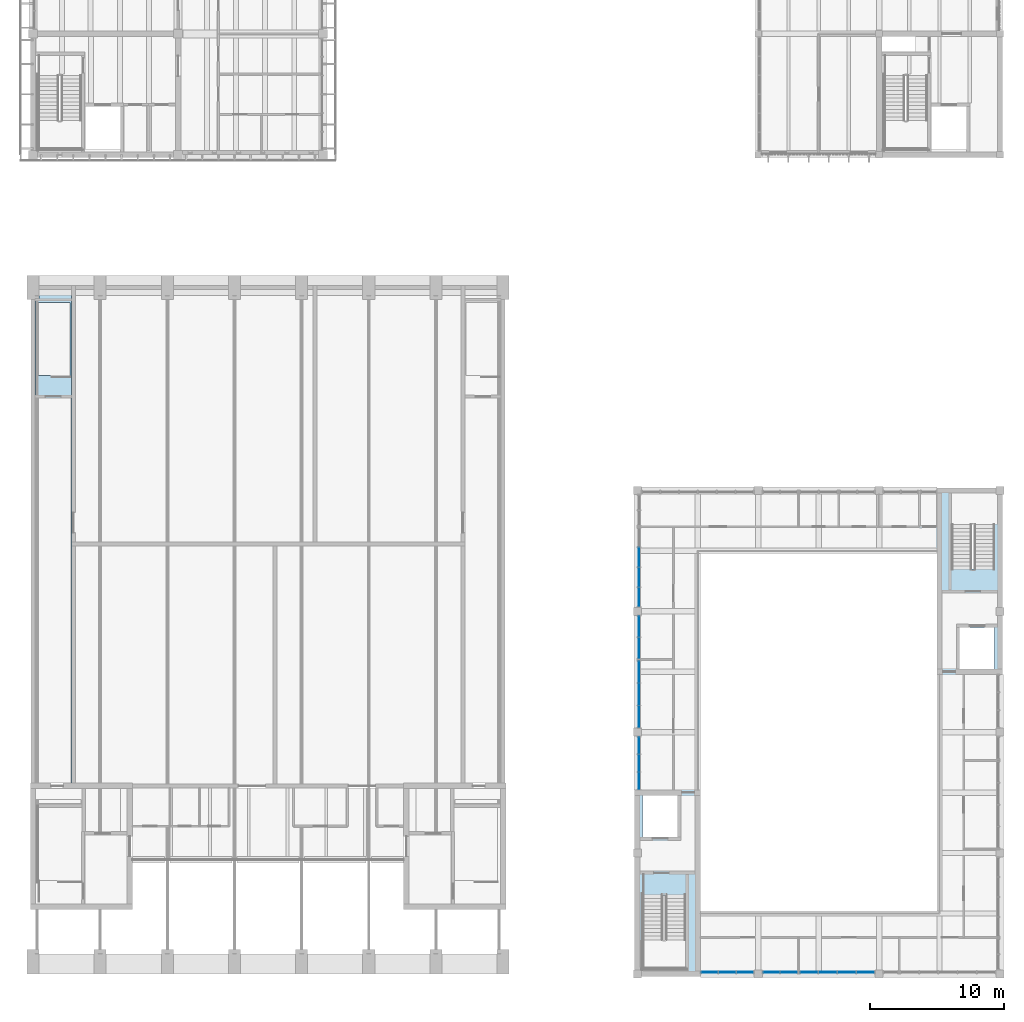
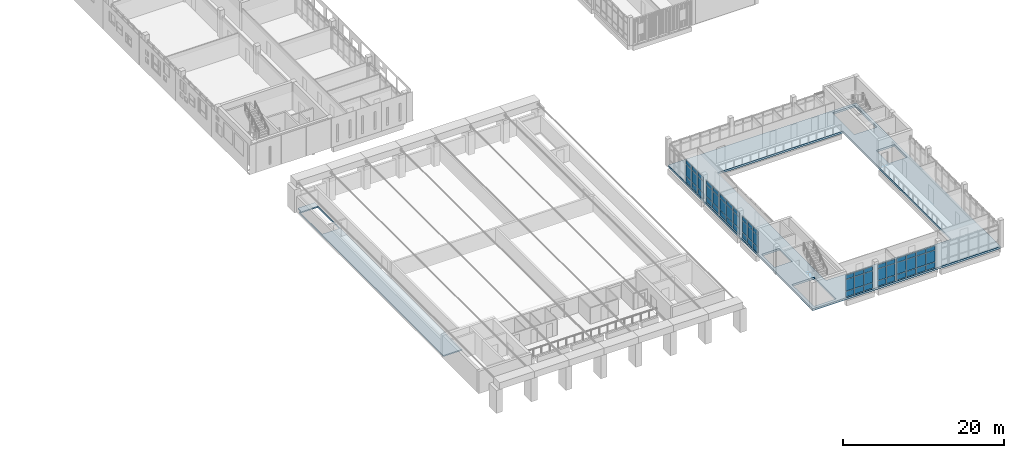
# One storey, part 35 of 92: 60 plates, 2 slabs, 7 elements without a shape of their own.
"""IFC4 building model written with IfcOpenShell, lengths in metres."""

from ifc_helpers import new_model, si_unit, direction, frame, origin, origin_2d, place, context, subcontext, project, spatial, polyline, rectangle, outline, extrude, material, layer, layer_set, type_object, element, aggregate, save


model = new_model("IFC4")

# Units and contexts
model_context = context("Model", 3, precision=1e-05, world=origin(), true_north=direction((0.0, 1.0)))
body_context = subcontext(model_context, "Body", "Model", "MODEL_VIEW")
ifc_project = project(units=[si_unit("LENGTHUNIT", "METRE"), si_unit("AREAUNIT", "SQUARE_METRE"), si_unit("VOLUMEUNIT", "CUBIC_METRE"), si_unit("PLANEANGLEUNIT", "RADIAN"), si_unit("MASSUNIT", "GRAM", prefix="KILO")], contexts=[model_context])

# Site, building, storey
site_placement = place(None, origin())
site = spatial("IfcSite", under=ifc_project, at=site_placement, CompositionType="ELEMENT")
building_placement = place(site_placement, origin())
building = spatial("IfcBuilding", under=site, at=building_placement, Name="Merrow Basin Faculty of Sciences", CompositionType="ELEMENT")
storey_placement = place(building_placement, frame((0.0, 0.0, 4.5)))
storey = spatial("IfcBuildingStorey", under=building, at=storey_placement, Name="L01", CompositionType="ELEMENT", Elevation=4.5)

# Curtain wall, plates
ifc_material_1 = material(Name="Aluminium alloy 6063", Category="aluminium")
curtain_wall_type = type_object("IfcCurtainWallType", Name="Atrium unitised curtain wall 240", PredefinedType="NOTDEFINED", material=ifc_material_1)
curtain_wall_1_placement = place(storey_placement, origin())
curtain_wall_1 = element("IfcCurtainWall", 1, at=curtain_wall_1_placement, inside=storey, type_object=curtain_wall_type, Name="W curtain wall L01 1", PredefinedType="NOTDEFINED")
ifc_material_2 = material(Name="Low-E double glazing", Category="glass")
ifc_layer_1 = layer(ifc_material_2, 0.031982421875)
ifc_layer_set_1 = layer_set([ifc_layer_1], Name="Acoustic double glazed panel 32")
plate_type_1 = type_object("IfcPlateType", Name="Acoustic double glazed panel 32", PredefinedType="CURTAIN_PANEL", material=ifc_layer_set_1)
plate_1_placement = place(storey_placement, frame((45.1201171875, 14.381591796875, 0.93017578125), z_axis=(0.0, 0.0, 1.0), x_axis=(0.0, 1.0, 0.0)))
plate_1 = element("IfcPlate", 2, at=plate_1_placement, type_object=plate_type_1, Name="CW5 panel 1.2", PredefinedType="CURTAIN_PANEL", context=body_context, shape_type="SweptSolid", body=[
    extrude(rectangle(XDim=1.243408203125, YDim=0.031982421875, at=origin_2d()), origin(), (0.0, 0.0, 1.0), 1.739990234375),
])
plate_2_placement = place(storey_placement, frame((45.1201171875, 14.381591796875, 2.72998046875), z_axis=(0.0, 0.0, 1.0), x_axis=(0.0, 1.0, 0.0)))
plate_2 = element("IfcPlate", 3, at=plate_2_placement, type_object=plate_type_1, Name="CW5 panel 1.3", PredefinedType="CURTAIN_PANEL", context=body_context, shape_type="SweptSolid", body=[
    extrude(rectangle(XDim=1.243408203125, YDim=0.031982421875, at=origin_2d()), origin(), (0.0, 0.0, 1.0), 0.610107421875),
])
plate_3_placement = place(storey_placement, frame((45.1201171875, 15.699951171875, 0.93017578125), z_axis=(0.0, 0.0, 1.0), x_axis=(0.0, 1.0, 0.0)))
plate_3 = element("IfcPlate", 4, at=plate_3_placement, type_object=plate_type_1, Name="CW5 panel 2.2", PredefinedType="CURTAIN_PANEL", context=body_context, shape_type="SweptSolid", body=[
    extrude(rectangle(XDim=1.2734375, YDim=0.031982421875, at=origin_2d()), origin(), (0.0, 0.0, 1.0), 1.739990234375),
])
plate_4_placement = place(storey_placement, frame((45.1201171875, 15.699951171875, 2.72998046875), z_axis=(0.0, 0.0, 1.0), x_axis=(0.0, 1.0, 0.0)))
plate_4 = element("IfcPlate", 5, at=plate_4_placement, type_object=plate_type_1, Name="CW5 panel 2.3", PredefinedType="CURTAIN_PANEL", context=body_context, shape_type="SweptSolid", body=[
    extrude(rectangle(XDim=1.2734375, YDim=0.031982421875, at=origin_2d()), origin(), (0.0, 0.0, 1.0), 0.610107421875),
])
plate_5_placement = place(storey_placement, frame((45.1201171875, 17.018310546875, 0.93017578125), z_axis=(0.0, 0.0, 1.0), x_axis=(0.0, 1.0, 0.0)))
plate_5 = element("IfcPlate", 6, at=plate_5_placement, type_object=plate_type_1, Name="CW5 panel 3.2", PredefinedType="CURTAIN_PANEL", context=body_context, shape_type="SweptSolid", body=[
    extrude(rectangle(XDim=1.243408203125, YDim=0.031982421875, at=origin_2d()), origin(), (0.0, 0.0, 1.0), 1.739990234375),
])
plate_6_placement = place(storey_placement, frame((45.1201171875, 17.018310546875, 2.72998046875), z_axis=(0.0, 0.0, 1.0), x_axis=(0.0, 1.0, 0.0)))
plate_6 = element("IfcPlate", 7, at=plate_6_placement, type_object=plate_type_1, Name="CW5 panel 3.3", PredefinedType="CURTAIN_PANEL", context=body_context, shape_type="SweptSolid", body=[
    extrude(rectangle(XDim=1.243408203125, YDim=0.031982421875, at=origin_2d()), origin(), (0.0, 0.0, 1.0), 0.610107421875),
])

curtain_wall_2_placement = place(storey_placement, origin())
curtain_wall_2 = element("IfcCurtainWall", 8, at=curtain_wall_2_placement, inside=storey, type_object=curtain_wall_type, Name="W curtain wall L01 2", PredefinedType="NOTDEFINED")
plate_7_placement = place(storey_placement, frame((45.1201171875, 19.15673828125, 0.93017578125), z_axis=(0.0, 0.0, 1.0), x_axis=(0.0, 1.0, 0.0)))
plate_7 = element("IfcPlate", 9, at=plate_7_placement, type_object=plate_type_1, Name="CW5 panel 1.2", PredefinedType="CURTAIN_PANEL", context=body_context, shape_type="SweptSolid", body=[
    extrude(rectangle(XDim=1.59326171875, YDim=0.031982421875, at=origin_2d()), origin(), (0.0, 0.0, 1.0), 1.739990234375),
])
plate_8_placement = place(storey_placement, frame((45.1201171875, 19.15673828125, 2.72998046875), z_axis=(0.0, 0.0, 1.0), x_axis=(0.0, 1.0, 0.0)))
plate_8 = element("IfcPlate", 10, at=plate_8_placement, type_object=plate_type_1, Name="CW5 panel 1.3", PredefinedType="CURTAIN_PANEL", context=body_context, shape_type="SweptSolid", body=[
    extrude(rectangle(XDim=1.59326171875, YDim=0.031982421875, at=origin_2d()), origin(), (0.0, 0.0, 1.0), 0.610107421875),
])
plate_9_placement = place(storey_placement, frame((45.1201171875, 20.824951171875, 0.93017578125), z_axis=(0.0, 0.0, 1.0), x_axis=(0.0, 1.0, 0.0)))
plate_9 = element("IfcPlate", 11, at=plate_9_placement, type_object=plate_type_1, Name="CW5 panel 2.2", PredefinedType="CURTAIN_PANEL", context=body_context, shape_type="SweptSolid", body=[
    extrude(rectangle(XDim=1.623291015625, YDim=0.031982421875, at=origin_2d()), origin(), (0.0, 0.0, 1.0), 1.739990234375),
])
plate_10_placement = place(storey_placement, frame((45.1201171875, 20.824951171875, 2.72998046875), z_axis=(0.0, 0.0, 1.0), x_axis=(0.0, 1.0, 0.0)))
plate_10 = element("IfcPlate", 12, at=plate_10_placement, type_object=plate_type_1, Name="CW5 panel 2.3", PredefinedType="CURTAIN_PANEL", context=body_context, shape_type="SweptSolid", body=[
    extrude(rectangle(XDim=1.623291015625, YDim=0.031982421875, at=origin_2d()), origin(), (0.0, 0.0, 1.0), 0.610107421875),
])
plate_11_placement = place(storey_placement, frame((45.1201171875, 22.493408203125, 0.93017578125), z_axis=(0.0, 0.0, 1.0), x_axis=(0.0, 1.0, 0.0)))
plate_11 = element("IfcPlate", 13, at=plate_11_placement, type_object=plate_type_1, Name="CW5 panel 3.2", PredefinedType="CURTAIN_PANEL", context=body_context, shape_type="SweptSolid", body=[
    extrude(rectangle(XDim=1.59326171875, YDim=0.031982421875, at=origin_2d()), origin(), (0.0, 0.0, 1.0), 1.739990234375),
])
plate_12_placement = place(storey_placement, frame((45.1201171875, 22.493408203125, 2.72998046875), z_axis=(0.0, 0.0, 1.0), x_axis=(0.0, 1.0, 0.0)))
plate_12 = element("IfcPlate", 14, at=plate_12_placement, type_object=plate_type_1, Name="CW5 panel 3.3", PredefinedType="CURTAIN_PANEL", context=body_context, shape_type="SweptSolid", body=[
    extrude(rectangle(XDim=1.59326171875, YDim=0.031982421875, at=origin_2d()), origin(), (0.0, 0.0, 1.0), 0.610107421875),
])

curtain_wall_3_placement = place(storey_placement, origin())
curtain_wall_3 = element("IfcCurtainWall", 15, at=curtain_wall_3_placement, inside=storey, type_object=curtain_wall_type, Name="W curtain wall L01 3", PredefinedType="NOTDEFINED")
plate_13_placement = place(storey_placement, frame((45.1201171875, 24.277587890625, 0.93017578125), z_axis=(0.0, 0.0, 1.0), x_axis=(0.0, 1.0, 0.0)))
plate_13 = element("IfcPlate", 16, at=plate_13_placement, type_object=plate_type_1, Name="CW5 panel 1.2", PredefinedType="CURTAIN_PANEL", context=body_context, shape_type="SweptSolid", body=[
    extrude(rectangle(XDim=1.534912109375, YDim=0.031982421875, at=origin_2d()), origin(), (0.0, 0.0, 1.0), 1.739990234375),
])
plate_14_placement = place(storey_placement, frame((45.1201171875, 24.277587890625, 2.72998046875), z_axis=(0.0, 0.0, 1.0), x_axis=(0.0, 1.0, 0.0)))
plate_14 = element("IfcPlate", 17, at=plate_14_placement, type_object=plate_type_1, Name="CW5 panel 1.3", PredefinedType="CURTAIN_PANEL", context=body_context, shape_type="SweptSolid", body=[
    extrude(rectangle(XDim=1.534912109375, YDim=0.031982421875, at=origin_2d()), origin(), (0.0, 0.0, 1.0), 0.610107421875),
])
plate_15_placement = place(storey_placement, frame((45.1201171875, 25.87255859375, 0.93017578125), z_axis=(0.0, 0.0, 1.0), x_axis=(0.0, 1.0, 0.0)))
plate_15 = element("IfcPlate", 18, at=plate_15_placement, type_object=plate_type_1, Name="CW5 panel 2.2", PredefinedType="CURTAIN_PANEL", context=body_context, shape_type="SweptSolid", body=[
    extrude(rectangle(XDim=1.534912109375, YDim=0.031982421875, at=origin_2d()), origin(), (0.0, 0.0, 1.0), 1.739990234375),
])
plate_16_placement = place(storey_placement, frame((45.1201171875, 25.87255859375, 2.72998046875), z_axis=(0.0, 0.0, 1.0), x_axis=(0.0, 1.0, 0.0)))
plate_16 = element("IfcPlate", 19, at=plate_16_placement, type_object=plate_type_1, Name="CW5 panel 2.3", PredefinedType="CURTAIN_PANEL", context=body_context, shape_type="SweptSolid", body=[
    extrude(rectangle(XDim=1.534912109375, YDim=0.031982421875, at=origin_2d()), origin(), (0.0, 0.0, 1.0), 0.610107421875),
])

curtain_wall_4_placement = place(storey_placement, origin())
curtain_wall_4 = element("IfcCurtainWall", 20, at=curtain_wall_4_placement, inside=storey, type_object=curtain_wall_type, Name="W curtain wall L01 4", PredefinedType="NOTDEFINED")
plate_17_placement = place(storey_placement, frame((45.1201171875, 28.058837890625, 0.93017578125), z_axis=(0.0, 0.0, 1.0), x_axis=(0.0, 1.0, 0.0)))
plate_17 = element("IfcPlate", 21, at=plate_17_placement, type_object=plate_type_1, Name="CW5 panel 1.2", PredefinedType="CURTAIN_PANEL", context=body_context, shape_type="SweptSolid", body=[
    extrude(rectangle(XDim=1.3974609375, YDim=0.031982421875, at=origin_2d()), origin(), (0.0, 0.0, 1.0), 1.739990234375),
])
plate_18_placement = place(storey_placement, frame((45.1201171875, 28.058837890625, 2.72998046875), z_axis=(0.0, 0.0, 1.0), x_axis=(0.0, 1.0, 0.0)))
plate_18 = element("IfcPlate", 22, at=plate_18_placement, type_object=plate_type_1, Name="CW5 panel 1.3", PredefinedType="CURTAIN_PANEL", context=body_context, shape_type="SweptSolid", body=[
    extrude(rectangle(XDim=1.3974609375, YDim=0.031982421875, at=origin_2d()), origin(), (0.0, 0.0, 1.0), 0.610107421875),
])
plate_19_placement = place(storey_placement, frame((45.1201171875, 29.53125, 0.93017578125), z_axis=(0.0, 0.0, 1.0), x_axis=(0.0, 1.0, 0.0)))
plate_19 = element("IfcPlate", 23, at=plate_19_placement, type_object=plate_type_1, Name="CW5 panel 2.2", PredefinedType="CURTAIN_PANEL", context=body_context, shape_type="SweptSolid", body=[
    extrude(rectangle(XDim=1.427490234375, YDim=0.031982421875, at=origin_2d()), origin(), (0.0, 0.0, 1.0), 1.739990234375),
])
plate_20_placement = place(storey_placement, frame((45.1201171875, 29.53125, 2.72998046875), z_axis=(0.0, 0.0, 1.0), x_axis=(0.0, 1.0, 0.0)))
plate_20 = element("IfcPlate", 24, at=plate_20_placement, type_object=plate_type_1, Name="CW5 panel 2.3", PredefinedType="CURTAIN_PANEL", context=body_context, shape_type="SweptSolid", body=[
    extrude(rectangle(XDim=1.427490234375, YDim=0.031982421875, at=origin_2d()), origin(), (0.0, 0.0, 1.0), 0.610107421875),
])
plate_21_placement = place(storey_placement, frame((45.1201171875, 31.018798828125, 0.93017578125), z_axis=(0.0, 0.0, 1.0), x_axis=(0.0, 1.0, 0.0)))
plate_21 = element("IfcPlate", 25, at=plate_21_placement, type_object=plate_type_1, Name="CW5 panel 3.2", PredefinedType="CURTAIN_PANEL", context=body_context, shape_type="SweptSolid", body=[
    extrude(rectangle(XDim=1.427490234375, YDim=0.031982421875, at=origin_2d()), origin(), (0.0, 0.0, 1.0), 1.739990234375),
])
plate_22_placement = place(storey_placement, frame((45.1201171875, 31.018798828125, 2.72998046875), z_axis=(0.0, 0.0, 1.0), x_axis=(0.0, 1.0, 0.0)))
plate_22 = element("IfcPlate", 26, at=plate_22_placement, type_object=plate_type_1, Name="CW5 panel 3.3", PredefinedType="CURTAIN_PANEL", context=body_context, shape_type="SweptSolid", body=[
    extrude(rectangle(XDim=1.427490234375, YDim=0.031982421875, at=origin_2d()), origin(), (0.0, 0.0, 1.0), 0.610107421875),
])

curtain_wall_5_placement = place(storey_placement, origin())
curtain_wall_5 = element("IfcCurtainWall", 27, at=curtain_wall_5_placement, inside=storey, type_object=curtain_wall_type, Name="S curtain wall L01 1", PredefinedType="NOTDEFINED")
plate_23_placement = place(storey_placement, frame((50.381591796875, 0.1201171875, 0.93017578125), z_axis=(0.0, 0.0, 1.0), x_axis=(1.0, 0.0, 0.0)))
plate_23 = element("IfcPlate", 28, at=plate_23_placement, type_object=plate_type_1, Name="CW5 panel 1.2", PredefinedType="CURTAIN_PANEL", context=body_context, shape_type="SweptSolid", body=[
    extrude(rectangle(XDim=1.243408203125, YDim=0.031982421875, at=origin_2d()), origin(), (0.0, 0.0, 1.0), 1.739990234375),
])
plate_24_placement = place(storey_placement, frame((50.381591796875, 0.1201171875, 2.72998046875), z_axis=(0.0, 0.0, 1.0), x_axis=(1.0, 0.0, 0.0)))
plate_24 = element("IfcPlate", 29, at=plate_24_placement, type_object=plate_type_1, Name="CW5 panel 1.3", PredefinedType="CURTAIN_PANEL", context=body_context, shape_type="SweptSolid", body=[
    extrude(rectangle(XDim=1.243408203125, YDim=0.031982421875, at=origin_2d()), origin(), (0.0, 0.0, 1.0), 0.610107421875),
])
plate_25_placement = place(storey_placement, frame((51.699951171875, 0.1201171875, 0.93017578125), z_axis=(0.0, 0.0, 1.0), x_axis=(1.0, 0.0, 0.0)))
plate_25 = element("IfcPlate", 30, at=plate_25_placement, type_object=plate_type_1, Name="CW5 panel 2.2", PredefinedType="CURTAIN_PANEL", context=body_context, shape_type="SweptSolid", body=[
    extrude(rectangle(XDim=1.2734375, YDim=0.031982421875, at=origin_2d()), origin(), (0.0, 0.0, 1.0), 1.739990234375),
])
plate_26_placement = place(storey_placement, frame((51.699951171875, 0.1201171875, 2.72998046875), z_axis=(0.0, 0.0, 1.0), x_axis=(1.0, 0.0, 0.0)))
plate_26 = element("IfcPlate", 31, at=plate_26_placement, type_object=plate_type_1, Name="CW5 panel 2.3", PredefinedType="CURTAIN_PANEL", context=body_context, shape_type="SweptSolid", body=[
    extrude(rectangle(XDim=1.2734375, YDim=0.031982421875, at=origin_2d()), origin(), (0.0, 0.0, 1.0), 0.610107421875),
])
plate_27_placement = place(storey_placement, frame((53.018310546875, 0.1201171875, 0.93017578125), z_axis=(0.0, 0.0, 1.0), x_axis=(1.0, 0.0, 0.0)))
plate_27 = element("IfcPlate", 32, at=plate_27_placement, type_object=plate_type_1, Name="CW5 panel 3.2", PredefinedType="CURTAIN_PANEL", context=body_context, shape_type="SweptSolid", body=[
    extrude(rectangle(XDim=1.243408203125, YDim=0.031982421875, at=origin_2d()), origin(), (0.0, 0.0, 1.0), 1.739990234375),
])
plate_28_placement = place(storey_placement, frame((53.018310546875, 0.1201171875, 2.72998046875), z_axis=(0.0, 0.0, 1.0), x_axis=(1.0, 0.0, 0.0)))
plate_28 = element("IfcPlate", 33, at=plate_28_placement, type_object=plate_type_1, Name="CW5 panel 3.3", PredefinedType="CURTAIN_PANEL", context=body_context, shape_type="SweptSolid", body=[
    extrude(rectangle(XDim=1.243408203125, YDim=0.031982421875, at=origin_2d()), origin(), (0.0, 0.0, 1.0), 0.610107421875),
])

curtain_wall_6_placement = place(storey_placement, origin())
curtain_wall_6 = element("IfcCurtainWall", 34, at=curtain_wall_6_placement, inside=storey, type_object=curtain_wall_type, Name="S curtain wall L01 2", PredefinedType="NOTDEFINED")
plate_29_placement = place(storey_placement, frame((54.9775390625, 0.1201171875, 0.93017578125), z_axis=(0.0, 0.0, 1.0), x_axis=(1.0, 0.0, 0.0)))
plate_29 = element("IfcPlate", 35, at=plate_29_placement, type_object=plate_type_1, Name="CW5 panel 1.2", PredefinedType="CURTAIN_PANEL", context=body_context, shape_type="SweptSolid", body=[
    extrude(rectangle(XDim=1.235107421875, YDim=0.031982421875, at=origin_2d()), origin(), (0.0, 0.0, 1.0), 1.739990234375),
])
plate_30_placement = place(storey_placement, frame((54.9775390625, 0.1201171875, 2.72998046875), z_axis=(0.0, 0.0, 1.0), x_axis=(1.0, 0.0, 0.0)))
plate_30 = element("IfcPlate", 36, at=plate_30_placement, type_object=plate_type_1, Name="CW5 panel 1.3", PredefinedType="CURTAIN_PANEL", context=body_context, shape_type="SweptSolid", body=[
    extrude(rectangle(XDim=1.235107421875, YDim=0.031982421875, at=origin_2d()), origin(), (0.0, 0.0, 1.0), 0.610107421875),
])
plate_31_placement = place(storey_placement, frame((56.2724609375, 0.1201171875, 0.93017578125), z_axis=(0.0, 0.0, 1.0), x_axis=(1.0, 0.0, 0.0)))
plate_31 = element("IfcPlate", 37, at=plate_31_placement, type_object=plate_type_1, Name="CW5 panel 2.2", PredefinedType="CURTAIN_PANEL", context=body_context, shape_type="SweptSolid", body=[
    extrude(rectangle(XDim=1.235107421875, YDim=0.031982421875, at=origin_2d()), origin(), (0.0, 0.0, 1.0), 1.739990234375),
])
plate_32_placement = place(storey_placement, frame((56.2724609375, 0.1201171875, 2.72998046875), z_axis=(0.0, 0.0, 1.0), x_axis=(1.0, 0.0, 0.0)))
plate_32 = element("IfcPlate", 38, at=plate_32_placement, type_object=plate_type_1, Name="CW5 panel 2.3", PredefinedType="CURTAIN_PANEL", context=body_context, shape_type="SweptSolid", body=[
    extrude(rectangle(XDim=1.235107421875, YDim=0.031982421875, at=origin_2d()), origin(), (0.0, 0.0, 1.0), 0.610107421875),
])

curtain_wall_7_placement = place(storey_placement, origin())
curtain_wall_7 = element("IfcCurtainWall", 39, at=curtain_wall_7_placement, inside=storey, type_object=curtain_wall_type, Name="S curtain wall L01 3", PredefinedType="NOTDEFINED")
plate_33_placement = place(storey_placement, frame((57.771240234375, 0.1201171875, 0.93017578125), z_axis=(0.0, 0.0, 1.0), x_axis=(1.0, 0.0, 0.0)))
plate_33 = element("IfcPlate", 40, at=plate_33_placement, type_object=plate_type_1, Name="CW5 panel 1.2", PredefinedType="CURTAIN_PANEL", context=body_context, shape_type="SweptSolid", body=[
    extrude(rectangle(XDim=1.322509765625, YDim=0.031982421875, at=origin_2d()), origin(), (0.0, 0.0, 1.0), 1.739990234375),
])
plate_34_placement = place(storey_placement, frame((57.771240234375, 0.1201171875, 2.72998046875), z_axis=(0.0, 0.0, 1.0), x_axis=(1.0, 0.0, 0.0)))
plate_34 = element("IfcPlate", 41, at=plate_34_placement, type_object=plate_type_1, Name="CW5 panel 1.3", PredefinedType="CURTAIN_PANEL", context=body_context, shape_type="SweptSolid", body=[
    extrude(rectangle(XDim=1.322509765625, YDim=0.031982421875, at=origin_2d()), origin(), (0.0, 0.0, 1.0), 0.610107421875),
])
plate_35_placement = place(storey_placement, frame((59.168701171875, 0.1201171875, 0.93017578125), z_axis=(0.0, 0.0, 1.0), x_axis=(1.0, 0.0, 0.0)))
plate_35 = element("IfcPlate", 42, at=plate_35_placement, type_object=plate_type_1, Name="CW5 panel 2.2", PredefinedType="CURTAIN_PANEL", context=body_context, shape_type="SweptSolid", body=[
    extrude(rectangle(XDim=1.3525390625, YDim=0.031982421875, at=origin_2d()), origin(), (0.0, 0.0, 1.0), 1.739990234375),
])
plate_36_placement = place(storey_placement, frame((59.168701171875, 0.1201171875, 2.72998046875), z_axis=(0.0, 0.0, 1.0), x_axis=(1.0, 0.0, 0.0)))
plate_36 = element("IfcPlate", 43, at=plate_36_placement, type_object=plate_type_1, Name="CW5 panel 2.3", PredefinedType="CURTAIN_PANEL", context=body_context, shape_type="SweptSolid", body=[
    extrude(rectangle(XDim=1.3525390625, YDim=0.031982421875, at=origin_2d()), origin(), (0.0, 0.0, 1.0), 0.610107421875),
])
plate_37_placement = place(storey_placement, frame((60.581298828125, 0.1201171875, 0.93017578125), z_axis=(0.0, 0.0, 1.0), x_axis=(1.0, 0.0, 0.0)))
plate_37 = element("IfcPlate", 44, at=plate_37_placement, type_object=plate_type_1, Name="CW5 panel 3.2", PredefinedType="CURTAIN_PANEL", context=body_context, shape_type="SweptSolid", body=[
    extrude(rectangle(XDim=1.3525390625, YDim=0.031982421875, at=origin_2d()), origin(), (0.0, 0.0, 1.0), 1.739990234375),
])
plate_38_placement = place(storey_placement, frame((60.581298828125, 0.1201171875, 2.72998046875), z_axis=(0.0, 0.0, 1.0), x_axis=(1.0, 0.0, 0.0)))
plate_38 = element("IfcPlate", 45, at=plate_38_placement, type_object=plate_type_1, Name="CW5 panel 3.3", PredefinedType="CURTAIN_PANEL", context=body_context, shape_type="SweptSolid", body=[
    extrude(rectangle(XDim=1.3525390625, YDim=0.031982421875, at=origin_2d()), origin(), (0.0, 0.0, 1.0), 0.610107421875),
])
plate_39_placement = place(storey_placement, frame((61.978759765625, 0.1201171875, 0.93017578125), z_axis=(0.0, 0.0, 1.0), x_axis=(1.0, 0.0, 0.0)))
plate_39 = element("IfcPlate", 46, at=plate_39_placement, type_object=plate_type_1, Name="CW5 panel 4.2", PredefinedType="CURTAIN_PANEL", context=body_context, shape_type="SweptSolid", body=[
    extrude(rectangle(XDim=1.322509765625, YDim=0.031982421875, at=origin_2d()), origin(), (0.0, 0.0, 1.0), 1.739990234375),
])
plate_40_placement = place(storey_placement, frame((61.978759765625, 0.1201171875, 2.72998046875), z_axis=(0.0, 0.0, 1.0), x_axis=(1.0, 0.0, 0.0)))
plate_40 = element("IfcPlate", 47, at=plate_40_placement, type_object=plate_type_1, Name="CW5 panel 4.3", PredefinedType="CURTAIN_PANEL", context=body_context, shape_type="SweptSolid", body=[
    extrude(rectangle(XDim=1.322509765625, YDim=0.031982421875, at=origin_2d()), origin(), (0.0, 0.0, 1.0), 0.610107421875),
])

# Slabs
ifc_material_3 = material(Name="Concrete C40/50", Category="concrete")
ifc_layer_2 = layer(ifc_material_3, 0.300048828125)
ifc_layer_set_2 = layer_set([ifc_layer_2], Name="Floor slab 300 Concrete C40/50")
slab_type_1 = type_object("IfcSlabType", Name="Floor slab 300 Concrete C40/50", PredefinedType="FLOOR", material=ifc_layer_set_2)
slab_1_placement = place(storey_placement, frame((0.0, 0.0, -0.300048828125)))
element("IfcSlab", 48, at=slab_1_placement, inside=storey, type_object=slab_type_1, Name="SL11 floor L01 001", PredefinedType="FLOOR", context=body_context, shape_type="SweptSolid", body=[
    extrude(outline(polyline([(72.0, 0.0), (45.0, 0.0), (45.0, 36.0), (72.0, 36.0), (72.0, 0.0)]), holes=[polyline([(71.60009765625, 25.800048828125), (69.0, 25.800048828125), (69.0, 22.60009765625), (71.60009765625, 22.60009765625), (71.60009765625, 25.800048828125)]), polyline([(71.60009765625, 35.60009765625), (68.39990234375, 35.60009765625), (68.39990234375, 30.14990234375), (71.60009765625, 30.14990234375), (71.60009765625, 35.60009765625)]), polyline([(67.5, 4.5), (67.5, 31.5), (49.5, 31.5), (49.5, 4.5), (67.5, 4.5)]), polyline([(48.60009765625, 5.85009765625), (45.39990234375, 5.85009765625), (45.39990234375, 0.39990234375), (48.60009765625, 0.39990234375), (48.60009765625, 5.85009765625)]), polyline([(48.0, 13.39990234375), (45.39990234375, 13.39990234375), (45.39990234375, 10.199951171875), (48.0, 10.199951171875), (48.0, 13.39990234375)])]), origin(), (0.0, 0.0, 1.0), 0.300048828125),
])
ifc_material_4 = material(Name="Concrete C40/50", Category="concrete")
ifc_layer_3 = layer(ifc_material_4, 0.179931640625)
ifc_layer_set_3 = layer_set([ifc_layer_3], Name="Gallery floor slab 180 Concrete C40/50")
slab_type_2 = type_object("IfcSlabType", Name="Gallery floor slab 180 Concrete C40/50", PredefinedType="FLOOR", material=ifc_layer_set_3)
slab_2_placement = place(storey_placement, frame((0.0, 0.0, -0.179931640625)))
element("IfcSlab", 49, at=slab_2_placement, inside=storey, type_object=slab_type_2, Name="SL4 floor L01 003", PredefinedType="FLOOR", context=body_context, shape_type="SweptSolid", body=[
    extrude(outline(polyline([(0.14990234375, 50.199951171875), (0.449951171875, 50.199951171875), (0.449951171875, 50.949951171875), (2.85009765625, 50.949951171875), (2.85009765625, 32.14990234375), (2.85009765625, 31.85009765625), (2.85009765625, 14.199951171875), (0.14990234375, 14.199951171875), (0.14990234375, 50.199951171875)]), holes=[polyline([(2.75, 44.550048828125), (2.75, 50.0), (0.25, 50.0), (0.25, 44.550048828125), (2.75, 44.550048828125)])]), origin(), (0.0, 0.0, 1.0), 0.179931640625),
])

# Plate
ifc_material_5 = material(Name="Insulated aluminium spandrel panel", Category="aluminium")
ifc_layer_4 = layer(ifc_material_5, 0.052001953125)
ifc_layer_set_4 = layer_set([ifc_layer_4], Name="Insulated spandrel panel 52")
plate_type_2 = type_object("IfcPlateType", Name="Insulated spandrel panel 52", PredefinedType="CURTAIN_PANEL", material=ifc_layer_set_4)
plate_41_placement = place(storey_placement, frame((45.1201171875, 14.381591796875, 0.06005859375), z_axis=(0.0, 0.0, 1.0), x_axis=(0.0, 1.0, 0.0)))
plate_41 = element("IfcPlate", 50, at=plate_41_placement, type_object=plate_type_2, Name="CW5 panel 1.1", PredefinedType="CURTAIN_PANEL", context=body_context, shape_type="SweptSolid", body=[
    extrude(rectangle(XDim=1.243408203125, YDim=0.052001953125, at=origin_2d()), origin(), (0.0, 0.0, 1.0), 0.81005859375),
])

plate_42_placement = place(storey_placement, frame((45.1201171875, 15.699951171875, 0.06005859375), z_axis=(0.0, 0.0, 1.0), x_axis=(0.0, 1.0, 0.0)))
plate_42 = element("IfcPlate", 51, at=plate_42_placement, type_object=plate_type_2, Name="CW5 panel 2.1", PredefinedType="CURTAIN_PANEL", context=body_context, shape_type="SweptSolid", body=[
    extrude(rectangle(XDim=1.2734375, YDim=0.052001953125, at=origin_2d()), origin(), (0.0, 0.0, 1.0), 0.81005859375),
])

plate_43_placement = place(storey_placement, frame((45.1201171875, 17.018310546875, 0.06005859375), z_axis=(0.0, 0.0, 1.0), x_axis=(0.0, 1.0, 0.0)))
plate_43 = element("IfcPlate", 52, at=plate_43_placement, type_object=plate_type_2, Name="CW5 panel 3.1", PredefinedType="CURTAIN_PANEL", context=body_context, shape_type="SweptSolid", body=[
    extrude(rectangle(XDim=1.243408203125, YDim=0.052001953125, at=origin_2d()), origin(), (0.0, 0.0, 1.0), 0.81005859375),
])

aggregate(curtain_wall_1, [plate_41, plate_1, plate_2, plate_42, plate_3, plate_4, plate_43, plate_5, plate_6])

plate_44_placement = place(storey_placement, frame((45.1201171875, 19.15673828125, 0.06005859375), z_axis=(0.0, 0.0, 1.0), x_axis=(0.0, 1.0, 0.0)))
plate_44 = element("IfcPlate", 53, at=plate_44_placement, type_object=plate_type_2, Name="CW5 panel 1.1", PredefinedType="CURTAIN_PANEL", context=body_context, shape_type="SweptSolid", body=[
    extrude(rectangle(XDim=1.59326171875, YDim=0.052001953125, at=origin_2d()), origin(), (0.0, 0.0, 1.0), 0.81005859375),
])

plate_45_placement = place(storey_placement, frame((45.1201171875, 20.824951171875, 0.06005859375), z_axis=(0.0, 0.0, 1.0), x_axis=(0.0, 1.0, 0.0)))
plate_45 = element("IfcPlate", 54, at=plate_45_placement, type_object=plate_type_2, Name="CW5 panel 2.1", PredefinedType="CURTAIN_PANEL", context=body_context, shape_type="SweptSolid", body=[
    extrude(rectangle(XDim=1.623291015625, YDim=0.052001953125, at=origin_2d()), origin(), (0.0, 0.0, 1.0), 0.81005859375),
])

plate_46_placement = place(storey_placement, frame((45.1201171875, 22.493408203125, 0.06005859375), z_axis=(0.0, 0.0, 1.0), x_axis=(0.0, 1.0, 0.0)))
plate_46 = element("IfcPlate", 55, at=plate_46_placement, type_object=plate_type_2, Name="CW5 panel 3.1", PredefinedType="CURTAIN_PANEL", context=body_context, shape_type="SweptSolid", body=[
    extrude(rectangle(XDim=1.59326171875, YDim=0.052001953125, at=origin_2d()), origin(), (0.0, 0.0, 1.0), 0.81005859375),
])

aggregate(curtain_wall_2, [plate_44, plate_7, plate_8, plate_45, plate_9, plate_10, plate_46, plate_11, plate_12])

plate_47_placement = place(storey_placement, frame((45.1201171875, 24.277587890625, 0.06005859375), z_axis=(0.0, 0.0, 1.0), x_axis=(0.0, 1.0, 0.0)))
plate_47 = element("IfcPlate", 56, at=plate_47_placement, type_object=plate_type_2, Name="CW5 panel 1.1", PredefinedType="CURTAIN_PANEL", context=body_context, shape_type="SweptSolid", body=[
    extrude(rectangle(XDim=1.534912109375, YDim=0.052001953125, at=origin_2d()), origin(), (0.0, 0.0, 1.0), 0.81005859375),
])

plate_48_placement = place(storey_placement, frame((45.1201171875, 25.87255859375, 0.06005859375), z_axis=(0.0, 0.0, 1.0), x_axis=(0.0, 1.0, 0.0)))
plate_48 = element("IfcPlate", 57, at=plate_48_placement, type_object=plate_type_2, Name="CW5 panel 2.1", PredefinedType="CURTAIN_PANEL", context=body_context, shape_type="SweptSolid", body=[
    extrude(rectangle(XDim=1.534912109375, YDim=0.052001953125, at=origin_2d()), origin(), (0.0, 0.0, 1.0), 0.81005859375),
])

aggregate(curtain_wall_3, [plate_47, plate_13, plate_14, plate_48, plate_15, plate_16])

plate_49_placement = place(storey_placement, frame((45.1201171875, 28.058837890625, 0.06005859375), z_axis=(0.0, 0.0, 1.0), x_axis=(0.0, 1.0, 0.0)))
plate_49 = element("IfcPlate", 58, at=plate_49_placement, type_object=plate_type_2, Name="CW5 panel 1.1", PredefinedType="CURTAIN_PANEL", context=body_context, shape_type="SweptSolid", body=[
    extrude(rectangle(XDim=1.3974609375, YDim=0.052001953125, at=origin_2d()), origin(), (0.0, 0.0, 1.0), 0.81005859375),
])

plate_50_placement = place(storey_placement, frame((45.1201171875, 29.53125, 0.06005859375), z_axis=(0.0, 0.0, 1.0), x_axis=(0.0, 1.0, 0.0)))
plate_50 = element("IfcPlate", 59, at=plate_50_placement, type_object=plate_type_2, Name="CW5 panel 2.1", PredefinedType="CURTAIN_PANEL", context=body_context, shape_type="SweptSolid", body=[
    extrude(rectangle(XDim=1.427490234375, YDim=0.052001953125, at=origin_2d()), origin(), (0.0, 0.0, 1.0), 0.81005859375),
])

plate_51_placement = place(storey_placement, frame((45.1201171875, 31.018798828125, 0.06005859375), z_axis=(0.0, 0.0, 1.0), x_axis=(0.0, 1.0, 0.0)))
plate_51 = element("IfcPlate", 60, at=plate_51_placement, type_object=plate_type_2, Name="CW5 panel 3.1", PredefinedType="CURTAIN_PANEL", context=body_context, shape_type="SweptSolid", body=[
    extrude(rectangle(XDim=1.427490234375, YDim=0.052001953125, at=origin_2d()), origin(), (0.0, 0.0, 1.0), 0.81005859375),
])

aggregate(curtain_wall_4, [plate_49, plate_17, plate_18, plate_50, plate_19, plate_20, plate_51, plate_21, plate_22])

plate_52_placement = place(storey_placement, frame((50.381591796875, 0.1201171875, 0.06005859375), z_axis=(0.0, 0.0, 1.0), x_axis=(1.0, 0.0, 0.0)))
plate_52 = element("IfcPlate", 61, at=plate_52_placement, type_object=plate_type_2, Name="CW5 panel 1.1", PredefinedType="CURTAIN_PANEL", context=body_context, shape_type="SweptSolid", body=[
    extrude(rectangle(XDim=1.243408203125, YDim=0.052001953125, at=origin_2d()), origin(), (0.0, 0.0, 1.0), 0.81005859375),
])

plate_53_placement = place(storey_placement, frame((51.699951171875, 0.1201171875, 0.06005859375), z_axis=(0.0, 0.0, 1.0), x_axis=(1.0, 0.0, 0.0)))
plate_53 = element("IfcPlate", 62, at=plate_53_placement, type_object=plate_type_2, Name="CW5 panel 2.1", PredefinedType="CURTAIN_PANEL", context=body_context, shape_type="SweptSolid", body=[
    extrude(rectangle(XDim=1.2734375, YDim=0.052001953125, at=origin_2d()), origin(), (0.0, 0.0, 1.0), 0.81005859375),
])

plate_54_placement = place(storey_placement, frame((53.018310546875, 0.1201171875, 0.06005859375), z_axis=(0.0, 0.0, 1.0), x_axis=(1.0, 0.0, 0.0)))
plate_54 = element("IfcPlate", 63, at=plate_54_placement, type_object=plate_type_2, Name="CW5 panel 3.1", PredefinedType="CURTAIN_PANEL", context=body_context, shape_type="SweptSolid", body=[
    extrude(rectangle(XDim=1.243408203125, YDim=0.052001953125, at=origin_2d()), origin(), (0.0, 0.0, 1.0), 0.81005859375),
])

aggregate(curtain_wall_5, [plate_52, plate_23, plate_24, plate_53, plate_25, plate_26, plate_54, plate_27, plate_28])

plate_55_placement = place(storey_placement, frame((54.9775390625, 0.1201171875, 0.06005859375), z_axis=(0.0, 0.0, 1.0), x_axis=(1.0, 0.0, 0.0)))
plate_55 = element("IfcPlate", 64, at=plate_55_placement, type_object=plate_type_2, Name="CW5 panel 1.1", PredefinedType="CURTAIN_PANEL", context=body_context, shape_type="SweptSolid", body=[
    extrude(rectangle(XDim=1.235107421875, YDim=0.052001953125, at=origin_2d()), origin(), (0.0, 0.0, 1.0), 0.81005859375),
])

plate_56_placement = place(storey_placement, frame((56.2724609375, 0.1201171875, 0.06005859375), z_axis=(0.0, 0.0, 1.0), x_axis=(1.0, 0.0, 0.0)))
plate_56 = element("IfcPlate", 65, at=plate_56_placement, type_object=plate_type_2, Name="CW5 panel 2.1", PredefinedType="CURTAIN_PANEL", context=body_context, shape_type="SweptSolid", body=[
    extrude(rectangle(XDim=1.235107421875, YDim=0.052001953125, at=origin_2d()), origin(), (0.0, 0.0, 1.0), 0.81005859375),
])

aggregate(curtain_wall_6, [plate_55, plate_29, plate_30, plate_56, plate_31, plate_32])

plate_57_placement = place(storey_placement, frame((57.771240234375, 0.1201171875, 0.06005859375), z_axis=(0.0, 0.0, 1.0), x_axis=(1.0, 0.0, 0.0)))
plate_57 = element("IfcPlate", 66, at=plate_57_placement, type_object=plate_type_2, Name="CW5 panel 1.1", PredefinedType="CURTAIN_PANEL", context=body_context, shape_type="SweptSolid", body=[
    extrude(rectangle(XDim=1.322509765625, YDim=0.052001953125, at=origin_2d()), origin(), (0.0, 0.0, 1.0), 0.81005859375),
])

plate_58_placement = place(storey_placement, frame((59.168701171875, 0.1201171875, 0.06005859375), z_axis=(0.0, 0.0, 1.0), x_axis=(1.0, 0.0, 0.0)))
plate_58 = element("IfcPlate", 67, at=plate_58_placement, type_object=plate_type_2, Name="CW5 panel 2.1", PredefinedType="CURTAIN_PANEL", context=body_context, shape_type="SweptSolid", body=[
    extrude(rectangle(XDim=1.3525390625, YDim=0.052001953125, at=origin_2d()), origin(), (0.0, 0.0, 1.0), 0.81005859375),
])

plate_59_placement = place(storey_placement, frame((60.581298828125, 0.1201171875, 0.06005859375), z_axis=(0.0, 0.0, 1.0), x_axis=(1.0, 0.0, 0.0)))
plate_59 = element("IfcPlate", 68, at=plate_59_placement, type_object=plate_type_2, Name="CW5 panel 3.1", PredefinedType="CURTAIN_PANEL", context=body_context, shape_type="SweptSolid", body=[
    extrude(rectangle(XDim=1.3525390625, YDim=0.052001953125, at=origin_2d()), origin(), (0.0, 0.0, 1.0), 0.81005859375),
])

plate_60_placement = place(storey_placement, frame((61.978759765625, 0.1201171875, 0.06005859375), z_axis=(0.0, 0.0, 1.0), x_axis=(1.0, 0.0, 0.0)))
plate_60 = element("IfcPlate", 69, at=plate_60_placement, type_object=plate_type_2, Name="CW5 panel 4.1", PredefinedType="CURTAIN_PANEL", context=body_context, shape_type="SweptSolid", body=[
    extrude(rectangle(XDim=1.322509765625, YDim=0.052001953125, at=origin_2d()), origin(), (0.0, 0.0, 1.0), 0.81005859375),
])

aggregate(curtain_wall_7, [plate_57, plate_33, plate_34, plate_58, plate_35, plate_36, plate_59, plate_37, plate_38, plate_60, plate_39, plate_40])

save(model, "model.ifc")
